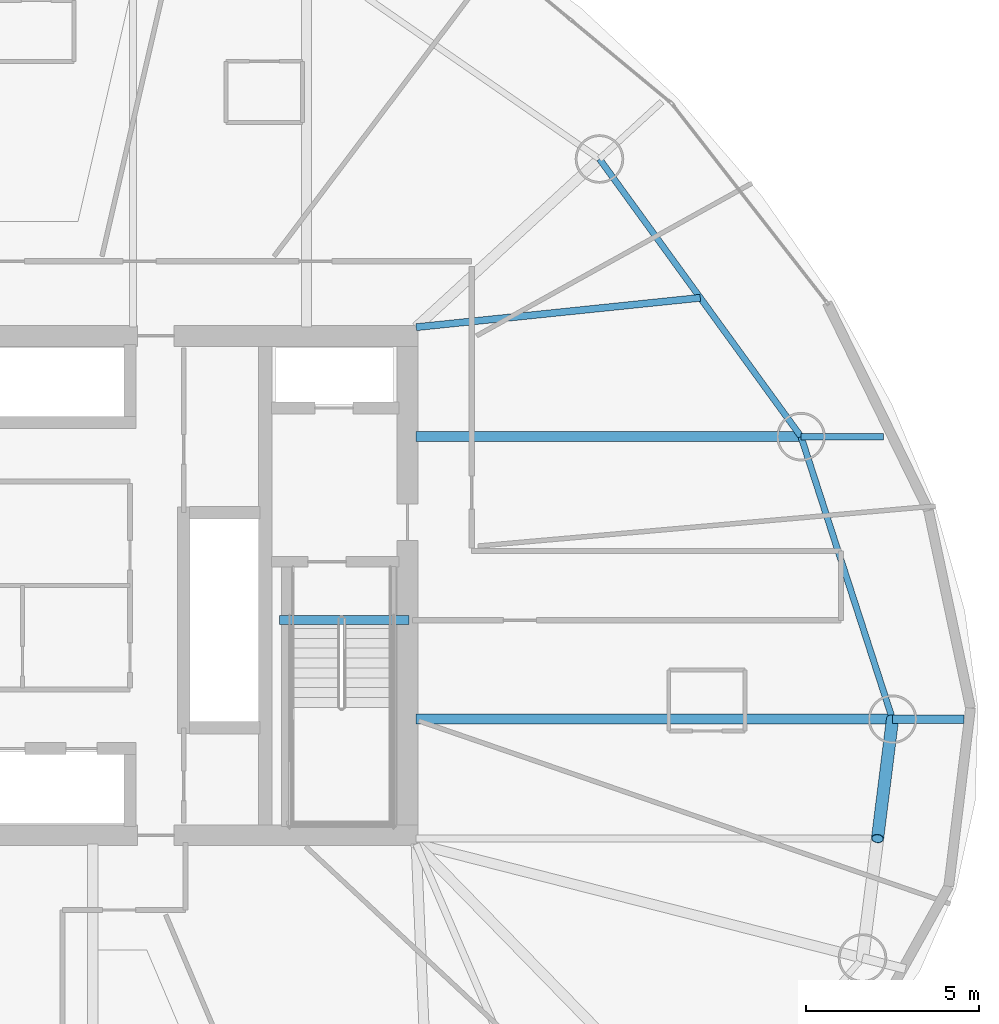
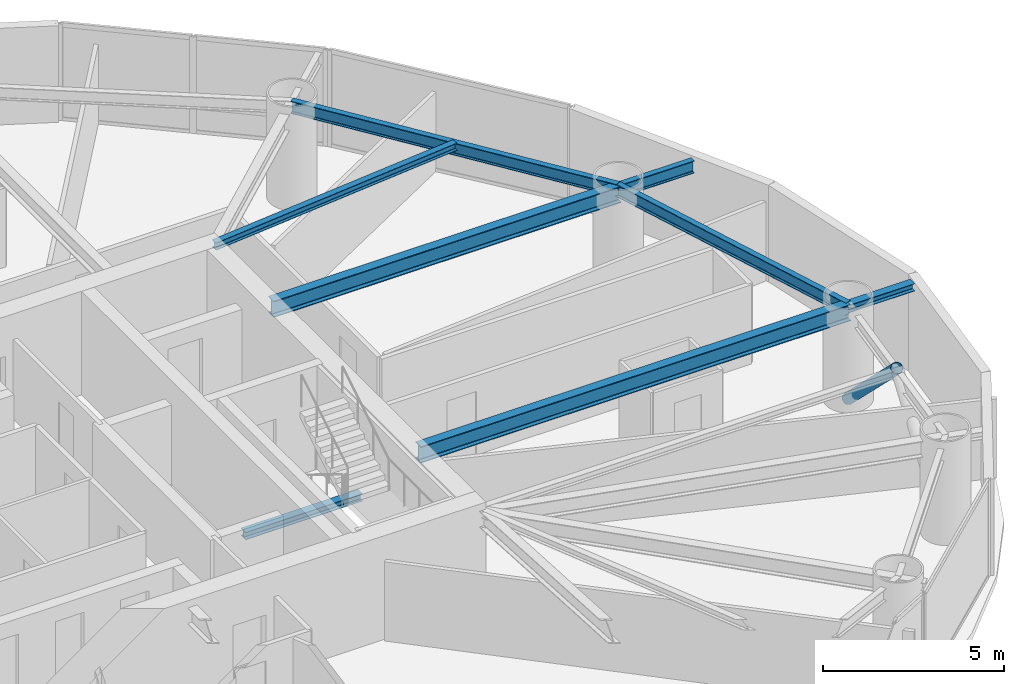
# One storey, part 6 of 20: 8 beams, 1 member.
"""IFC4 building model written with IfcOpenShell, lengths in metres."""

from ifc_helpers import new_model, si_unit, direction, frame, origin, origin_2d, place, context, subcontext, project, spatial, hollow_circle, i_section, extrude, material, material_profile, profile_set, type_object, element, save


model = new_model("IFC4")

# Units and contexts
model_context = context("Model", 3, precision=1e-05, world=origin(), true_north=direction((0.0, 1.0)))
body_context = subcontext(model_context, "Body", "Model", "MODEL_VIEW")
ifc_project = project(units=[si_unit("LENGTHUNIT", "METRE"), si_unit("AREAUNIT", "SQUARE_METRE"), si_unit("VOLUMEUNIT", "CUBIC_METRE"), si_unit("PLANEANGLEUNIT", "RADIAN"), si_unit("MASSUNIT", "GRAM", prefix="KILO")], contexts=[model_context])

# Site, building, storey
site_placement = place(None, origin())
site = spatial("IfcSite", under=ifc_project, at=site_placement, CompositionType="ELEMENT")
building_placement = place(site_placement, origin())
building = spatial("IfcBuilding", under=site, at=building_placement, Name="Bramvorn Convention Spire", CompositionType="ELEMENT")
storey_placement = place(building_placement, frame((0.0, 0.0, 106.300048828125)))
storey = spatial("IfcBuildingStorey", under=building, at=storey_placement, Name="L25", CompositionType="ELEMENT", Elevation=106.300048828125)

# Beams
ifc_material = material(Name="Steel CSA G40.21 Grade 350 (350W)", Category="steel")
ifc_material_profile_1 = material_profile(ifc_material, i_section(OverallWidth=0.201904296875, OverallDepth=0.2470703125, WebThickness=0.00732421875, FlangeThickness=0.010986328125, FilletRadius=0.011962890625, at=origin_2d()))
ifc_profile_set_1 = profile_set([ifc_material_profile_1], Name="Steel CSA G40.21 Grade 350 (350W) - W250X49")
beam_type_1 = type_object("IfcBeamType", Name="BM-W250X49", PredefinedType="JOIST", material=ifc_profile_set_1)
beam_1_placement = place(storey_placement, frame((49.25, 33.449951171875, 3.136474609375), z_axis=(0.994705076194, 0.102770673804, 0.0), x_axis=(-0.102770673804, 0.994705076194, 0.0)))
element("IfcBeam", 1, at=beam_1_placement, inside=storey, type_object=beam_type_1, Name="L25 composite floor joist 03", PredefinedType="JOIST", context=body_context, shape_type="SweptSolid", body=[
    extrude(i_section(OverallWidth=0.201904296875, OverallDepth=0.2470703125, WebThickness=0.00732421875, FlangeThickness=0.010986328125, FilletRadius=0.011962890625, at=origin_2d()), origin(), (0.0, 0.0, 1.0), 8.23388671875),
])
ifc_material_profile_2 = material_profile(ifc_material, i_section(OverallWidth=0.25390625, OverallDepth=0.2529296875, WebThickness=0.008544921875, FlangeThickness=0.01416015625, FilletRadius=0.011962890625, at=origin_2d()))
ifc_profile_set_2 = profile_set([ifc_material_profile_2], Name="Steel CSA G40.21 Grade 350 (350W) - W250X73")
beam_type_2 = type_object("IfcBeamType", Name="BM-W250X73", PredefinedType="BEAM", material=ifc_profile_set_2)
beam_2_placement = place(storey_placement, frame((62.983642578125, 22.148193359375, 3.1083984375), z_axis=(1.0, 0.0, 0.0), x_axis=(0.0, 1.0, 0.0)))
element("IfcBeam", 2, at=beam_2_placement, inside=storey, type_object=beam_type_2, Name="L25 slab-edge cantilever tip beam MC02", PredefinedType="BEAM", context=body_context, shape_type="SweptSolid", body=[
    extrude(i_section(OverallWidth=0.25390625, OverallDepth=0.2529296875, WebThickness=0.008544921875, FlangeThickness=0.01416015625, FilletRadius=0.011962890625, at=origin_2d()), origin(), (0.0, 0.0, 1.0), 2.05615234375),
])
beam_3_placement = place(storey_placement, frame((45.31005859375, 25.010009765625, -0.12646484375), z_axis=(1.0, 0.0, 0.0), x_axis=(0.0, 1.0, 0.0)))
element("IfcBeam", 3, at=beam_3_placement, inside=storey, type_object=beam_type_2, Name="L25 ST2 stair arrival header beam", PredefinedType="BEAM", context=body_context, shape_type="SweptSolid", body=[
    extrude(i_section(OverallWidth=0.25390625, OverallDepth=0.2529296875, WebThickness=0.008544921875, FlangeThickness=0.01416015625, FilletRadius=0.011962890625, at=origin_2d()), origin(), (0.0, 0.0, 1.0), 3.739990234375),
])
ifc_material_profile_3 = material_profile(ifc_material, i_section(OverallWidth=0.180908203125, OverallDepth=0.4169921875, WebThickness=0.010986328125, FlangeThickness=0.018310546875, FilletRadius=0.01611328125, at=origin_2d()))
ifc_profile_set_3 = profile_set([ifc_material_profile_3], Name="Steel CSA G40.21 Grade 350 (350W) - W410X85")
beam_type_3 = type_object("IfcBeamType", Name="BM-W410X85", PredefinedType="JOIST", material=ifc_profile_set_3)
beam_4_placement = place(storey_placement, frame((62.983642578125, 22.148193359375, 3.051513671875), z_axis=(-0.308114853612, 0.951349166701, 0.0), x_axis=(-0.951349166701, -0.308114853612, 0.0)))
element("IfcBeam", 4, at=beam_4_placement, inside=storey, type_object=beam_type_3, Name="L25 mega-column ring beam 02", PredefinedType="JOIST", context=body_context, shape_type="SweptSolid", body=[
    extrude(i_section(OverallWidth=0.180908203125, OverallDepth=0.4169921875, WebThickness=0.010986328125, FlangeThickness=0.018310546875, FilletRadius=0.01611328125, at=origin_2d()), origin(), (0.0, 0.0, 1.0), 8.5615234375),
])
beam_5_placement = place(storey_placement, frame((60.345703125, 30.293212890625, 3.0263671875), z_axis=(1.0, 0.0, 0.0), x_axis=(0.0, 1.0, 0.0)))
element("IfcBeam", 5, at=beam_5_placement, inside=storey, type_object=beam_type_3, Name="L25 Sky-Garden cantilever tip girder MC03", PredefinedType="JOIST", context=body_context, shape_type="SweptSolid", body=[
    extrude(i_section(OverallWidth=0.180908203125, OverallDepth=0.4169921875, WebThickness=0.010986328125, FlangeThickness=0.018310546875, FilletRadius=0.01611328125, at=origin_2d()), origin(), (0.0, 0.0, 1.0), 2.377197265625),
])
beam_6_placement = place(storey_placement, frame((60.345703125, 30.293212890625, 3.051513671875), z_axis=(-0.587401024629, 0.809296012757, 0.0), x_axis=(-0.809296012757, -0.587401024629, 0.0)))
element("IfcBeam", 6, at=beam_6_placement, inside=storey, type_object=beam_type_3, Name="L25 mega-column ring beam 03", PredefinedType="JOIST", context=body_context, shape_type="SweptSolid", body=[
    extrude(i_section(OverallWidth=0.180908203125, OverallDepth=0.4169921875, WebThickness=0.010986328125, FlangeThickness=0.018310546875, FilletRadius=0.01611328125, at=origin_2d()), origin(), (0.0, 0.0, 1.0), 9.892333984375),
])
ifc_material_profile_4 = material_profile(ifc_material, i_section(OverallWidth=0.2919921875, OverallDepth=0.551025390625, WebThickness=0.01513671875, FlangeThickness=0.0244140625, FilletRadius=0.01904296875, at=origin_2d()))
ifc_profile_set_4 = profile_set([ifc_material_profile_4], Name="Steel CSA G40.21 Grade 350 (350W) - W530X182")
beam_type_4 = type_object("IfcBeamType", Name="BM-W530X182", PredefinedType="BEAM", material=ifc_profile_set_4)
beam_7_placement = place(storey_placement, frame((49.25, 22.148193359375, 2.984375), z_axis=(1.0, 0.0, 0.0), x_axis=(0.0, 1.0, 0.0)))
element("IfcBeam", 7, at=beam_7_placement, inside=storey, type_object=beam_type_4, Name="L25 radial floor girder MC02", PredefinedType="BEAM", context=body_context, shape_type="SweptSolid", body=[
    extrude(i_section(OverallWidth=0.2919921875, OverallDepth=0.551025390625, WebThickness=0.01513671875, FlangeThickness=0.0244140625, FilletRadius=0.01904296875, at=origin_2d()), origin(), (0.0, 0.0, 1.0), 13.733642578125),
])
beam_8_placement = place(storey_placement, frame((49.25, 30.293212890625, 2.95947265625), z_axis=(1.0, 0.0, 0.0), x_axis=(0.0, 1.0, 0.0)))
element("IfcBeam", 8, at=beam_8_placement, inside=storey, type_object=beam_type_4, Name="L25 Sky-Garden back-span radial girder MC03", PredefinedType="BEAM", context=body_context, shape_type="SweptSolid", body=[
    extrude(i_section(OverallWidth=0.2919921875, OverallDepth=0.551025390625, WebThickness=0.01513671875, FlangeThickness=0.0244140625, FilletRadius=0.01904296875, at=origin_2d()), origin(), (0.0, 0.0, 1.0), 11.095703125),
])

# Member
ifc_material_profile_5 = material_profile(ifc_material, hollow_circle(Radius=0.177734375, WallThickness=0.015869140625, at=origin_2d()))
ifc_profile_set_5 = profile_set([ifc_material_profile_5], Name="Steel CSA G40.21 Grade 350 (350W) - CHS356X16")
member_type = type_object("IfcMemberType", Name="MBR-CHS356X16", PredefinedType="BRACE", material=ifc_profile_set_5)
member_placement = place(storey_placement, frame((62.983642578125, 22.148193359375, 0.0), z_axis=(-0.090966454148, -0.723116649599, 0.684709730683), x_axis=(0.992180152714, -0.124814039917, 0.0)))
element("IfcMember", 9, at=member_placement, inside=storey, type_object=member_type, Name="L25 perimeter Gothic lancet brace 1B", PredefinedType="BRACE", context=body_context, shape_type="SweptSolid", body=[
    extrude(hollow_circle(Radius=0.177734375, WallThickness=0.015869140625, at=origin_2d()), origin(), (0.0, 0.0, 1.0), 4.76123046875),
])

save(model, "model.ifc")
